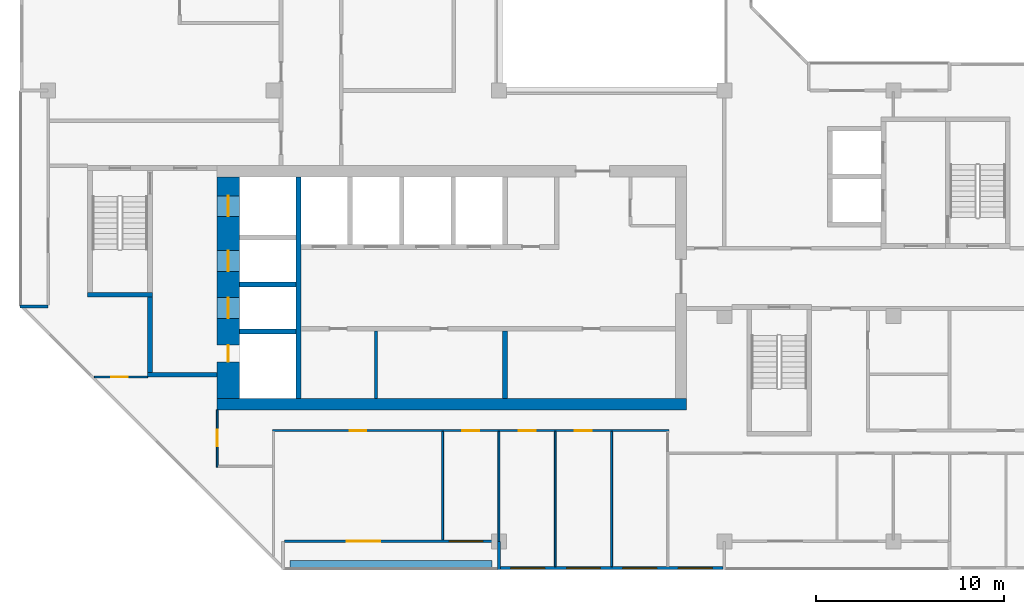
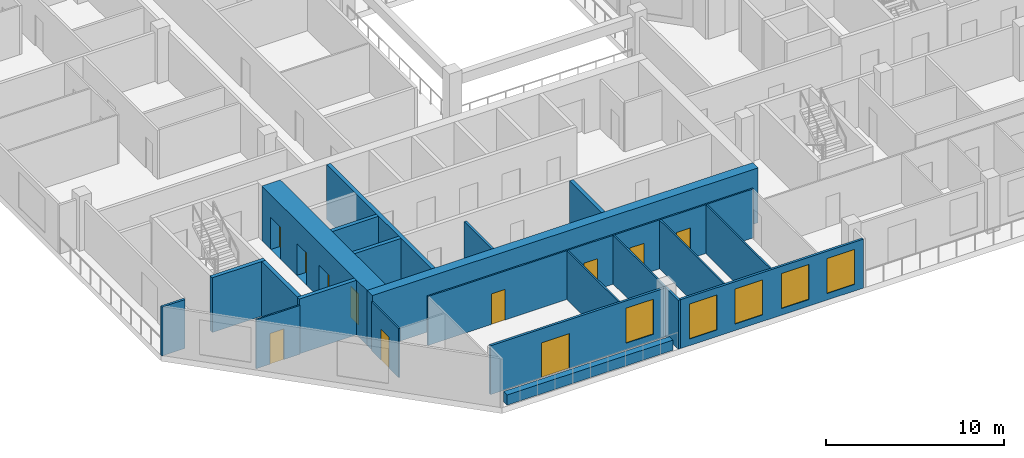
# One storey, part 4 of 13: 22 walls, 11 doors, 5 windows, 16 openings.
"""IFC4 building model written with IfcOpenShell, lengths in metres."""

import ifcopenshell
import ifcopenshell.guid

model = None  # the IFC model being written
_history = None  # IfcOwnerHistory: only IFC2X3 demands one
_inside = {}  # id of a spatial element -> (the spatial element, [elements in it])
_under = {}  # id of a project, library or spatial element -> (it, [spatial elements below it])
_declared = {}  # id of a project -> (the project, [libraries it declares])
_typed = {}  # id of a type object -> (the type object, [elements of that type])
_made_of = {}  # id of a material, layer set ... -> (it, [elements and type objects made of it])


def new_model(schema):
    """Start an empty IFC model of exactly this schema.

    Asked for "IFC4X3", IfcOpenShell would pick the latest addendum, in which some entities
    have other attributes; the version numbers below select the first issue.
    IFC2X3 requires an IfcOwnerHistory on every rooted entity: one is made here for all.
    """
    global model, _history
    if schema == "IFC4X3":
        model = ifcopenshell.file(schema_version=(4, 3, 0, 0))
    else:
        model = ifcopenshell.file(schema=schema)
    _inside.clear()
    _under.clear()
    _declared.clear()
    _typed.clear()
    _made_of.clear()
    _history = None
    if model.schema == "IFC2X3":
        org = make("IfcOrganization", Name="unknown")
        user = make(
            "IfcPersonAndOrganization",
            ThePerson=make("IfcPerson", FamilyName="unknown"),
            TheOrganization=org,
        )
        app = make(
            "IfcApplication",
            ApplicationDeveloper=org,
            Version="unknown",
            ApplicationFullName="unknown",
            ApplicationIdentifier="unknown",
        )
        _history = make(
            "IfcOwnerHistory",
            OwningUser=user,
            OwningApplication=app,
            ChangeAction="ADDED",
            CreationDate=0,
        )
    return model


def make(cls, **values):
    """One entity of the class cls with the attributes given. An attribute that is None is left unset."""
    return model.create_entity(
        cls, **{name: value for name, value in values.items() if value is not None}
    )


def rooted(cls, **values):
    """An entity with a GlobalId (a new one), such as an element, a storey or a relation."""
    return make(cls, GlobalId=ifcopenshell.guid.new(), OwnerHistory=_history, **values)


def si_unit(unit_type, name, prefix=None):
    """IfcSIUnit, for example si_unit("LENGTHUNIT", "METRE", prefix="MILLI")."""
    return make("IfcSIUnit", UnitType=unit_type, Prefix=prefix, Name=name)


def assignment(units):
    """IfcUnitAssignment: the units of a project."""
    return None if units is None else make("IfcUnitAssignment", Units=units)


def point(xyz):
    """IfcCartesianPoint."""
    return None if xyz is None else make("IfcCartesianPoint", Coordinates=xyz)


def direction(xyz):
    """IfcDirection."""
    return None if xyz is None else make("IfcDirection", DirectionRatios=xyz)


def frame(location, z_axis=None, x_axis=None):
    """IfcAxis2Placement3D, a coordinate frame: its origin and axes. An axis left out is left unset."""
    return make(
        "IfcAxis2Placement3D",
        Location=point(location),
        Axis=direction(z_axis),
        RefDirection=direction(x_axis),
    )


def frame_2d(location, x_axis=None):
    """IfcAxis2Placement2D, a coordinate frame in the plane: its origin and x axis."""
    return make(
        "IfcAxis2Placement2D", Location=point(location), RefDirection=direction(x_axis)
    )


def origin():
    """The frame at (0, 0, 0) with its axes left unset."""
    return frame((0.0, 0.0, 0.0))


def place(relative_to, where):
    """IfcLocalPlacement: puts the frame where relative to a parent placement (None: the world)."""
    return make(
        "IfcLocalPlacement", PlacementRelTo=relative_to, RelativePlacement=where
    )


def context(
    kind, dimensions, precision=None, world=None, true_north=None, identifier=None
):
    """IfcGeometricRepresentationContext, for example the 3D "Model" context."""
    return make(
        "IfcGeometricRepresentationContext",
        ContextIdentifier=identifier,
        ContextType=kind,
        CoordinateSpaceDimension=dimensions,
        Precision=precision,
        WorldCoordinateSystem=world,
        TrueNorth=true_north,
    )


def subcontext(parent, identifier, kind, view, scale=None):
    """IfcGeometricRepresentationSubContext, for example "Body" below "Model"."""
    return make(
        "IfcGeometricRepresentationSubContext",
        ContextIdentifier=identifier,
        ContextType=kind,
        ParentContext=parent,
        TargetScale=scale,
        TargetView=view,
    )


def project(units=None, contexts=None):
    """IfcProject with its units and contexts."""
    return rooted(
        "IfcProject",
        Name="project",
        RepresentationContexts=contexts,
        UnitsInContext=assignment(units),
    )


def spatial(cls, under=None, at=None, **own):
    """A site, building, storey or space (cls), placed at a placement, below another one or the project."""
    s = rooted(cls, ObjectPlacement=at, **own)
    if under is not None:
        _under.setdefault(under.id(), (under, []))[1].append(s)
    return s


def profile(cls, at=None, kind="AREA", **sizes):
    """A parametric profile (cls). Its sizes go by their IFC names, for example OverallWidth=200.0."""
    return make(cls, ProfileType=kind, Position=at, **sizes)


def rectangle(**sizes):
    """IfcRectangleProfileDef."""
    return profile("IfcRectangleProfileDef", **sizes)


def extrude(swept, where, along, depth):
    """IfcExtrudedAreaSolid: the profile swept, set in the frame where, extruded along a direction by depth."""
    return make(
        "IfcExtrudedAreaSolid",
        SweptArea=swept,
        Position=where,
        ExtrudedDirection=direction(along),
        Depth=depth,
    )


def shape(context_of_items, identifier, shape_type, items):
    """IfcShapeRepresentation: the items that make up one representation, for example the "Body"."""
    return make(
        "IfcShapeRepresentation",
        ContextOfItems=context_of_items,
        RepresentationIdentifier=identifier,
        RepresentationType=shape_type,
        Items=items,
    )


def material(Name=None, Category=None):
    """IfcMaterial."""
    return make("IfcMaterial", Name=Name, Category=Category)


def layer(
    of_material, thickness, ventilated=None, Name=None, Category=None, Priority=None
):
    """IfcMaterialLayer: one layer of a wall or slab, of a material (None: an air gap)."""
    return make(
        "IfcMaterialLayer",
        Material=of_material,
        LayerThickness=thickness,
        IsVentilated=ventilated,
        Name=Name,
        Category=Category,
        Priority=Priority,
    )


def layer_set(layers, Name=None):
    """IfcMaterialLayerSet."""
    return make("IfcMaterialLayerSet", MaterialLayers=layers, LayerSetName=Name)


def made_of(thing, what):
    """Note that an element or type object is made of a material, layer set ...; save() writes the relation."""
    if what is not None:
        _made_of.setdefault(what.id(), (what, []))[1].append(thing)
    return thing


def type_object(cls, material=None, **own):
    """A type object (cls), such as IfcWallType, which elements share."""
    return made_of(rooted(cls, **own), material)


def element(
    cls,
    number,
    at=None,
    inside=None,
    cuts=None,
    type_object=None,
    material=None,
    context=None,
    identifier="Body",
    shape_type=None,
    held_by="IfcProductDefinitionShape",
    body=None,
    shapes=None,
    **own,
):
    """One element of the class cls, such as IfcWall. Its Tag is "e" and its number.

    at: its placement. inside: the storey or other place that contains it. cuts: it is an
    opening in that element (IfcRelVoidsElement). A single representation is given by context,
    identifier, shape_type and body (its items); several are given by shapes. held_by: the class
    of the entity that holds the representations. save() writes the other relations.
    """
    e = rooted(cls, Tag="e%d" % number, ObjectPlacement=at, **own)
    if body is not None:
        shapes = [shape(context, identifier, shape_type, body)]
    if shapes is not None:
        e.Representation = make(held_by, Representations=shapes)
    if inside is not None:
        _inside.setdefault(inside.id(), (inside, []))[1].append(e)
    if cuts is not None:
        rooted(
            "IfcRelVoidsElement", RelatingBuildingElement=cuts, RelatedOpeningElement=e
        )
    if type_object is not None:
        _typed.setdefault(type_object.id(), (type_object, []))[1].append(e)
    return made_of(e, material)


def fill(opening, filler):
    """IfcRelFillsElement: the door or window that sits in an opening."""
    return rooted(
        "IfcRelFillsElement",
        RelatingOpeningElement=opening,
        RelatedBuildingElement=filler,
    )


def aggregate(whole, parts):
    """IfcRelAggregates: a whole, such as a stair, and the parts it consists of."""
    return rooted("IfcRelAggregates", RelatingObject=whole, RelatedObjects=parts)


def save(model, path):
    """Write the relations noted so far, then the file.

    IfcRelAggregates (storeys below a building ...), IfcRelContainedInSpatialStructure (elements
    in a storey), IfcRelDefinesByType, IfcRelAssociatesMaterial and IfcRelDeclares: one each for
    every whole, place, type object, material and project.
    """
    for whole, parts in _under.values():
        aggregate(whole, parts)
    for where, things in _inside.values():
        rooted(
            "IfcRelContainedInSpatialStructure",
            RelatedElements=things,
            RelatingStructure=where,
        )
    for kind, things in _typed.values():
        rooted("IfcRelDefinesByType", RelatedObjects=things, RelatingType=kind)
    for what, things in _made_of.values():
        rooted("IfcRelAssociatesMaterial", RelatedObjects=things, RelatingMaterial=what)
    for by, libraries in _declared.values():
        rooted("IfcRelDeclares", RelatingContext=by, RelatedDefinitions=libraries)
    model.write(path)


model = new_model("IFC4")

# Units and contexts
model_context = context("Model", 3, precision=1e-05, world=origin(), true_north=direction((0.0, 1.0)))
body_context = subcontext(model_context, "Body", "Model", "MODEL_VIEW")
ifc_project = project(units=[si_unit("LENGTHUNIT", "METRE"), si_unit("AREAUNIT", "SQUARE_METRE"), si_unit("VOLUMEUNIT", "CUBIC_METRE"), si_unit("PLANEANGLEUNIT", "RADIAN"), si_unit("MASSUNIT", "GRAM", prefix="KILO")], contexts=[model_context])

# Site, building, storey
site_placement = place(None, origin())
site = spatial("IfcSite", under=ifc_project, at=site_placement, CompositionType="ELEMENT")
building_placement = place(site_placement, origin())
building = spatial("IfcBuilding", under=site, at=building_placement, Name="Chenar Terraces", CompositionType="ELEMENT")
storey_placement = place(building_placement, frame((0.0, 0.0, 284.64990234375)))
storey = spatial("IfcBuildingStorey", under=building, at=storey_placement, Name="L66", CompositionType="ELEMENT", Elevation=284.64990234375)

# Wall
ifc_material_1 = material(Name="Gypsum board on steel studs", Category="steel")
ifc_layer_1 = layer(ifc_material_1, 0.14990234375)
ifc_layer_set_1 = layer_set([ifc_layer_1], Name="Gypsum board on steel studs")
wall_type_1 = type_object("IfcWallType", Name="Core partition 150 gypsum board", PredefinedType="PARTITIONING", material=ifc_layer_set_1)
wall_1_placement = place(storey_placement, frame((17.449951171875, 7.60009765625, 0.0), z_axis=(0.0, 0.0, 1.0), x_axis=(0.0, 1.0, 0.0)))
element("IfcWall", 1, at=wall_1_placement, inside=storey, type_object=wall_type_1, Name="Core partition CP1 freed bay wall", PredefinedType="PARTITIONING", context=body_context, shape_type="SweptSolid", body=[
    extrude(rectangle(XDim=3.599853515625, YDim=0.14990234375, at=frame_2d((1.7998046875, 0.0))), origin(), (0.0, 0.0, 1.0), 3.35009765625),
])

# Wall, openings, doors
ifc_material_2 = material(Name="Concrete C50/60", Category="concrete")
ifc_layer_2 = layer(ifc_material_2, 1.199951171875)
ifc_layer_set_2 = layer_set([ifc_layer_2], Name="Concrete C50/60")
wall_type_2 = type_object("IfcWallType", Name="Core wall 1200 Concrete C50/60", PredefinedType="SHEAR", material=ifc_layer_set_2)
wall_2_placement = place(storey_placement, frame((9.60009765625, 7.60009765625, 0.0), z_axis=(0.0, 0.0, 1.0), x_axis=(0.0, 1.0, 0.0)))
wall_2 = element("IfcWall", 2, at=wall_2_placement, inside=storey, type_object=wall_type_2, Name="Core wall W L66", PredefinedType="SHEAR", context=body_context, shape_type="SweptSolid", body=[
    extrude(rectangle(XDim=11.7998046875, YDim=1.199951171875, at=frame_2d((5.89990234375, 0.0))), origin(), (0.0, 0.0, 1.0), 3.75),
])
opening_1_placement = place(wall_2_placement, frame((4.27490234375, 0.0, 0.0)))
opening_1 = element("IfcOpeningElement", 3, at=opening_1_placement, cuts=wall_2, Name="Opening DL66-LD5", PredefinedType="OPENING", context=body_context, shape_type="SweptSolid", body=[
    extrude(rectangle(XDim=1.10009765625, YDim=2.199951171875, at=frame_2d((0.550048828125, 1.10009765625))), frame((0.0, 0.60986328125, 0.0), z_axis=(0.0, -1.0, 0.0), x_axis=(1.0, 0.0, 0.0)), (0.0, 0.0, 1.0), 1.219970703125),
])
opening_2_placement = place(wall_2_placement, frame((6.77490234375, 0.0, 0.0)))
opening_2 = element("IfcOpeningElement", 4, at=opening_2_placement, cuts=wall_2, Name="Opening DL66-LD6", PredefinedType="OPENING", context=body_context, shape_type="SweptSolid", body=[
    extrude(rectangle(XDim=1.10009765625, YDim=2.199951171875, at=frame_2d((0.550048828125, 1.10009765625))), frame((0.0, 0.60986328125, 0.0), z_axis=(0.0, -1.0, 0.0), x_axis=(1.0, 0.0, 0.0)), (0.0, 0.0, 1.0), 1.219970703125),
])
opening_3_placement = place(wall_2_placement, frame((9.699951171875, 0.0, 0.0)))
opening_3 = element("IfcOpeningElement", 5, at=opening_3_placement, cuts=wall_2, Name="Opening DL66-LD7", PredefinedType="OPENING", context=body_context, shape_type="SweptSolid", body=[
    extrude(rectangle(XDim=1.10009765625, YDim=2.199951171875, at=frame_2d((0.550048828125, 1.10009765625))), frame((0.0, 0.60986328125, 0.0), z_axis=(0.0, -1.0, 0.0), x_axis=(1.0, 0.0, 0.0)), (0.0, 0.0, 1.0), 1.219970703125),
])
opening_4_placement = place(wall_2_placement, frame((1.949951171875, 0.0, 0.0)))
opening_4 = element("IfcOpeningElement", 6, at=opening_4_placement, cuts=wall_2, Name="Opening DL66-C4", PredefinedType="OPENING", context=body_context, shape_type="SweptSolid", body=[
    extrude(rectangle(XDim=0.89990234375, YDim=2.10009765625, at=frame_2d((0.449951171875, 1.050048828125))), frame((0.0, 0.60986328125, 0.0), z_axis=(0.0, -1.0, 0.0), x_axis=(1.0, 0.0, 0.0)), (0.0, 0.0, 1.0), 1.219970703125),
])
ifc_material_3 = material(Name="Stainless steel", Category="steel")
door_type_1 = type_object("IfcDoorType", Name="Lift landing door 1100 x 2200 sliding", OperationType="DOUBLE_DOOR_SLIDING", PredefinedType="DOOR", material=ifc_material_3)
door_1_placement = place(opening_1_placement, origin())
door_1 = element("IfcDoor", 7, at=door_1_placement, inside=storey, type_object=door_type_1, Name="Landing door S1", OperationType="DOUBLE_DOOR_SLIDING", OverallHeight=2.199951171875, OverallWidth=1.10009765625, PredefinedType="DOOR", context=body_context, shape_type="SweptSolid", body=[
    extrude(rectangle(XDim=1.10009765625, YDim=2.199951171875, at=frame_2d((0.550048828125, 1.10009765625))), frame((0.0, 0.02490234375, 0.0), z_axis=(0.0, -1.0, 0.0), x_axis=(1.0, 0.0, 0.0)), (0.0, 0.0, 1.0), 0.050048828125),
])
fill(opening_1, door_1)
door_2_placement = place(opening_2_placement, origin())
door_2 = element("IfcDoor", 8, at=door_2_placement, inside=storey, type_object=door_type_1, Name="Landing door F1", OperationType="DOUBLE_DOOR_SLIDING", OverallHeight=2.199951171875, OverallWidth=1.10009765625, PredefinedType="DOOR", context=body_context, shape_type="SweptSolid", body=[
    extrude(rectangle(XDim=1.10009765625, YDim=2.199951171875, at=frame_2d((0.550048828125, 1.10009765625))), frame((0.0, 0.02490234375, 0.0), z_axis=(0.0, -1.0, 0.0), x_axis=(1.0, 0.0, 0.0)), (0.0, 0.0, 1.0), 0.050048828125),
])
fill(opening_2, door_2)
door_3_placement = place(opening_3_placement, origin())
door_3 = element("IfcDoor", 9, at=door_3_placement, inside=storey, type_object=door_type_1, Name="Landing door F2", OperationType="DOUBLE_DOOR_SLIDING", OverallHeight=2.199951171875, OverallWidth=1.10009765625, PredefinedType="DOOR", context=body_context, shape_type="SweptSolid", body=[
    extrude(rectangle(XDim=1.10009765625, YDim=2.199951171875, at=frame_2d((0.550048828125, 1.10009765625))), frame((0.0, 0.02490234375, 0.0), z_axis=(0.0, -1.0, 0.0), x_axis=(1.0, 0.0, 0.0)), (0.0, 0.0, 1.0), 0.050048828125),
])
fill(opening_3, door_3)
ifc_material_4 = material(Name="Steel-framed fire-resisting door leaf", Category="steel")
door_type_2 = type_object("IfcDoorType", Name="Riser fire door FD60 900 x 2100", OperationType="SINGLE_SWING_LEFT", PredefinedType="DOOR", material=ifc_material_4)
door_4_placement = place(opening_4_placement, frame((0.89990234375, 0.0, 0.0), z_axis=(0.0, 0.0, 1.0), x_axis=(-1.0, 0.0, 0.0)))
door_4 = element("IfcDoor", 10, at=door_4_placement, inside=storey, type_object=door_type_2, Name="Riser door DL66-C4", OperationType="SINGLE_SWING_LEFT", OverallHeight=2.10009765625, OverallWidth=0.89990234375, PredefinedType="DOOR", context=body_context, shape_type="SweptSolid", body=[
    extrude(rectangle(XDim=0.89990234375, YDim=2.10009765625, at=frame_2d((0.449951171875, 1.050048828125))), frame((0.0, 0.02490234375, 0.0), z_axis=(0.0, -1.0, 0.0), x_axis=(1.0, 0.0, 0.0)), (0.0, 0.0, 1.0), 0.050048828125),
])
fill(opening_4, door_4)

# Walls
ifc_material_5 = material(Name="Concrete C50/60", Category="concrete")
ifc_layer_3 = layer(ifc_material_5, 0.25)
ifc_layer_set_3 = layer_set([ifc_layer_3], Name="Concrete C50/60")
wall_type_3 = type_object("IfcWallType", Name="Core wall 250 Concrete C50/60", PredefinedType="SHEAR", material=ifc_layer_set_3)
wall_3_placement = place(storey_placement, frame((13.324951171875, 7.60009765625, 0.0), z_axis=(0.0, 0.0, 1.0), x_axis=(0.0, 1.0, 0.0)))
element("IfcWall", 11, at=wall_3_placement, inside=storey, type_object=wall_type_3, Name="Core wall WI L66", PredefinedType="SHEAR", context=body_context, shape_type="SweptSolid", body=[
    extrude(rectangle(XDim=11.7998046875, YDim=0.25, at=frame_2d((5.89990234375, 0.0))), origin(), (0.0, 0.0, 1.0), 3.75),
])
for number, where, z_axis, x_axis, name in (
    (12, (10.199951171875, 11.175048828125, 0.0), (0.0, 0.0, 1.0), (1.0, 0.0, 0.0), "Core wall HW0 L66"),
    (13, (10.199951171875, 13.675048828125, 0.0), (0.0, 0.0, 1.0), (1.0, 0.0, 0.0), "Core wall HW1 L66"),
):
    element("IfcWall", number, at=place(storey_placement, frame(where, z_axis=z_axis, x_axis=x_axis)), inside=storey, type_object=wall_type_3, Name=name, PredefinedType="SHEAR", context=body_context, shape_type="SweptSolid", body=[
        extrude(rectangle(XDim=3.0, YDim=0.25, at=frame_2d((1.5, 0.0))), origin(), (0.0, 0.0, 1.0), 3.75),
    ])
wall_4_placement = place(storey_placement, frame((24.324951171875, 7.60009765625, 0.0), z_axis=(0.0, 0.0, 1.0), x_axis=(0.0, 1.0, 0.0)))
element("IfcWall", 14, at=wall_4_placement, inside=storey, type_object=wall_type_3, Name="Core wall SS3 L66", PredefinedType="SHEAR", context=body_context, shape_type="SweptSolid", body=[
    extrude(rectangle(XDim=3.599853515625, YDim=0.25, at=frame_2d((1.7998046875, 0.0))), origin(), (0.0, 0.0, 1.0), 3.75),
])
wall_5_placement = place(storey_placement, frame((2.10009765625, 13.125, 0.0), z_axis=(0.0, 0.0, 1.0), x_axis=(1.0, 0.0, 0.0)))
element("IfcWall", 15, at=wall_5_placement, inside=storey, type_object=wall_type_3, Name="Core wall ST1_S L66", PredefinedType="SHEAR", context=body_context, shape_type="SweptSolid", body=[
    extrude(rectangle(XDim=3.449951171875, YDim=0.25, at=frame_2d((1.72509765625, 0.0))), origin(), (0.0, 0.0, 1.0), 3.75),
])
wall_6_placement = place(storey_placement, frame((5.300048828125, 8.875, 0.0), z_axis=(0.0, 0.0, 1.0), x_axis=(1.0, 0.0, 0.0)))
element("IfcWall", 16, at=wall_6_placement, inside=storey, type_object=wall_type_3, Name="Core wall FFL_S L66", PredefinedType="SHEAR", context=body_context, shape_type="SweptSolid", body=[
    extrude(rectangle(XDim=3.699951171875, YDim=0.25, at=frame_2d((1.85009765625, 0.0))), origin(), (0.0, 0.0, 1.0), 3.75),
])
wall_7_placement = place(storey_placement, frame((5.425048828125, 9.0, 0.0), z_axis=(0.0, 0.0, 1.0), x_axis=(0.0, 1.0, 0.0)))
element("IfcWall", 17, at=wall_7_placement, inside=storey, type_object=wall_type_3, Name="Core wall FFL_W L66", PredefinedType="SHEAR", context=body_context, shape_type="SweptSolid", body=[
    extrude(rectangle(XDim=4.0, YDim=0.25, at=frame_2d((2.0, 0.0))), origin(), (0.0, 0.0, 1.0), 3.75),
])
ifc_material_6 = material(Name="Concrete C50/60", Category="concrete")
ifc_layer_4 = layer(ifc_material_6, 0.60009765625)
ifc_layer_set_4 = layer_set([ifc_layer_4], Name="Concrete C50/60")
wall_type_4 = type_object("IfcWallType", Name="Core wall 600 Concrete C50/60", PredefinedType="SHEAR", material=ifc_layer_set_4)
wall_8_placement = place(storey_placement, frame((9.0, 7.300048828125, 0.0), z_axis=(0.0, 0.0, 1.0), x_axis=(1.0, 0.0, 0.0)))
element("IfcWall", 18, at=wall_8_placement, inside=storey, type_object=wall_type_4, Name="Core wall S L66", PredefinedType="SHEAR", context=body_context, shape_type="SweptSolid", body=[
    extrude(rectangle(XDim=25.0, YDim=0.60009765625, at=frame_2d((12.5, 0.0))), origin(), (0.0, 0.0, 1.0), 3.75),
])

# Wall, openings, windows
ifc_material_7 = material(Name="Aluminium framed glazing", Category="aluminium")
ifc_layer_5 = layer(ifc_material_7, 0.14990234375)
ifc_layer_set_5 = layer_set([ifc_layer_5], Name="Aluminium framed glazing")
wall_type_5 = type_object("IfcWallType", Name="Glazed flush facade wall 150", PredefinedType="SOLIDWALL", material=ifc_layer_set_5)
wall_9_placement = place(storey_placement, frame((24.074951171875, -1.425048828125, 0.0), z_axis=(0.0, 0.0, 1.0), x_axis=(1.0, 0.0, 0.0)))
wall_9 = element("IfcWall", 19, at=wall_9_placement, inside=storey, type_object=wall_type_5, Name="Glazed flush facade wall", PredefinedType="SOLIDWALL", context=body_context, shape_type="SweptSolid", body=[
    extrude(rectangle(XDim=11.85009765625, YDim=0.14990234375, at=frame_2d((5.925048828125, 0.0))), origin(), (0.0, 0.0, 1.0), 3.35009765625),
])
opening_5_placement = place(wall_9_placement, frame((0.5625, 0.0, 0.449951171875)))
opening_5 = element("IfcOpeningElement", 20, at=opening_5_placement, cuts=wall_9, Name="Opening W180x240", PredefinedType="OPENING", context=body_context, shape_type="SweptSolid", body=[
    extrude(rectangle(XDim=1.800048828125, YDim=2.39990234375, at=frame_2d((0.89990234375, 1.199951171875))), frame((0.0, 0.0849609375, 0.0), z_axis=(0.0, -1.0, 0.0), x_axis=(1.0, 0.0, 0.0)), (0.0, 0.0, 1.0), 0.169921875),
])
opening_6_placement = place(wall_9_placement, frame((3.52490234375, 0.0, 0.449951171875)))
opening_6 = element("IfcOpeningElement", 21, at=opening_6_placement, cuts=wall_9, Name="Opening W180x240", PredefinedType="OPENING", context=body_context, shape_type="SweptSolid", body=[
    extrude(rectangle(XDim=1.800048828125, YDim=2.39990234375, at=frame_2d((0.89990234375, 1.199951171875))), frame((0.0, 0.0849609375, 0.0), z_axis=(0.0, -1.0, 0.0), x_axis=(1.0, 0.0, 0.0)), (0.0, 0.0, 1.0), 0.169921875),
])
opening_7_placement = place(wall_9_placement, frame((6.52490234375, 0.0, 0.449951171875)))
opening_7 = element("IfcOpeningElement", 22, at=opening_7_placement, cuts=wall_9, Name="Opening W180x240", PredefinedType="OPENING", context=body_context, shape_type="SweptSolid", body=[
    extrude(rectangle(XDim=1.800048828125, YDim=2.39990234375, at=frame_2d((0.89990234375, 1.199951171875))), frame((0.0, 0.0849609375, 0.0), z_axis=(0.0, -1.0, 0.0), x_axis=(1.0, 0.0, 0.0)), (0.0, 0.0, 1.0), 0.169921875),
])
opening_8_placement = place(wall_9_placement, frame((9.487548828125, 0.0, 0.449951171875)))
opening_8 = element("IfcOpeningElement", 23, at=opening_8_placement, cuts=wall_9, Name="Opening W180x240", PredefinedType="OPENING", context=body_context, shape_type="SweptSolid", body=[
    extrude(rectangle(XDim=1.800048828125, YDim=2.39990234375, at=frame_2d((0.89990234375, 1.199951171875))), frame((0.0, 0.0849609375, 0.0), z_axis=(0.0, -1.0, 0.0), x_axis=(1.0, 0.0, 0.0)), (0.0, 0.0, 1.0), 0.169921875),
])
ifc_material_8 = material(Name="Low emissivity double glazing, aluminium frame", Category="aluminium")
window_type = type_object("IfcWindowType", Name="Fixed light 1800 x 2400", PartitioningType="SINGLE_PANEL", PredefinedType="WINDOW", material=ifc_material_8)
window_1_placement = place(opening_5_placement, origin())
window_1 = element("IfcWindow", 24, at=window_1_placement, inside=storey, type_object=window_type, Name="Window", OverallHeight=2.39990234375, OverallWidth=1.800048828125, PartitioningType="SINGLE_PANEL", PredefinedType="WINDOW", context=body_context, shape_type="SweptSolid", body=[
    extrude(rectangle(XDim=1.800048828125, YDim=2.39990234375, at=frame_2d((0.89990234375, 1.199951171875))), frame((0.0, 0.030029296875, 0.0), z_axis=(0.0, -1.0, 0.0), x_axis=(1.0, 0.0, 0.0)), (0.0, 0.0, 1.0), 0.06005859375),
])
fill(opening_5, window_1)
window_2_placement = place(opening_6_placement, origin())
window_2 = element("IfcWindow", 25, at=window_2_placement, inside=storey, type_object=window_type, Name="Window", OverallHeight=2.39990234375, OverallWidth=1.800048828125, PartitioningType="SINGLE_PANEL", PredefinedType="WINDOW", context=body_context, shape_type="SweptSolid", body=[
    extrude(rectangle(XDim=1.800048828125, YDim=2.39990234375, at=frame_2d((0.89990234375, 1.199951171875))), frame((0.0, 0.030029296875, 0.0), z_axis=(0.0, -1.0, 0.0), x_axis=(1.0, 0.0, 0.0)), (0.0, 0.0, 1.0), 0.06005859375),
])
fill(opening_6, window_2)
window_3_placement = place(opening_7_placement, origin())
window_3 = element("IfcWindow", 26, at=window_3_placement, inside=storey, type_object=window_type, Name="Window", OverallHeight=2.39990234375, OverallWidth=1.800048828125, PartitioningType="SINGLE_PANEL", PredefinedType="WINDOW", context=body_context, shape_type="SweptSolid", body=[
    extrude(rectangle(XDim=1.800048828125, YDim=2.39990234375, at=frame_2d((0.89990234375, 1.199951171875))), frame((0.0, 0.030029296875, 0.0), z_axis=(0.0, -1.0, 0.0), x_axis=(1.0, 0.0, 0.0)), (0.0, 0.0, 1.0), 0.06005859375),
])
fill(opening_7, window_3)
window_4_placement = place(opening_8_placement, origin())
window_4 = element("IfcWindow", 27, at=window_4_placement, inside=storey, type_object=window_type, Name="Window", OverallHeight=2.39990234375, OverallWidth=1.800048828125, PartitioningType="SINGLE_PANEL", PredefinedType="WINDOW", context=body_context, shape_type="SweptSolid", body=[
    extrude(rectangle(XDim=1.800048828125, YDim=2.39990234375, at=frame_2d((0.89990234375, 1.199951171875))), frame((0.0, 0.030029296875, 0.0), z_axis=(0.0, -1.0, 0.0), x_axis=(1.0, 0.0, 0.0)), (0.0, 0.0, 1.0), 0.06005859375),
])
fill(opening_8, window_4)

# Wall, openings, window, door
ifc_material_9 = material(Name="Aluminium framed glazing", Category="aluminium")
ifc_layer_6 = layer(ifc_material_9, 0.14990234375)
ifc_layer_set_6 = layer_set([ifc_layer_6], Name="Aluminium framed glazing")
wall_type_6 = type_object("IfcWallType", Name="Glazed loggia back wall 150", PredefinedType="SOLIDWALL", material=ifc_layer_set_6)
wall_10_placement = place(storey_placement, frame((12.574951171875, 0.0, 0.0), z_axis=(0.0, 0.0, 1.0), x_axis=(1.0, 0.0, 0.0)))
wall_10 = element("IfcWall", 28, at=wall_10_placement, inside=storey, type_object=wall_type_6, Name="Glazed loggia back wall", PredefinedType="SOLIDWALL", context=body_context, shape_type="SweptSolid", body=[
    extrude(rectangle(XDim=11.35009765625, YDim=0.14990234375, at=frame_2d((5.675048828125, 0.0))), origin(), (0.0, 0.0, 1.0), 3.35009765625),
])
opening_9_placement = place(wall_10_placement, frame((3.3125, 0.0, 0.0)))
opening_9 = element("IfcOpeningElement", 29, at=opening_9_placement, cuts=wall_10, Name="Opening DL66-G5", PredefinedType="OPENING", context=body_context, shape_type="SweptSolid", body=[
    extrude(rectangle(XDim=1.800048828125, YDim=2.39990234375, at=frame_2d((0.89990234375, 1.199951171875))), frame((0.0, 0.0849609375, 0.0), z_axis=(0.0, -1.0, 0.0), x_axis=(1.0, 0.0, 0.0)), (0.0, 0.0, 1.0), 0.169921875),
])
opening_10_placement = place(wall_10_placement, frame((8.77490234375, 0.0, 0.449951171875)))
opening_10 = element("IfcOpeningElement", 30, at=opening_10_placement, cuts=wall_10, Name="Opening W180x240", PredefinedType="OPENING", context=body_context, shape_type="SweptSolid", body=[
    extrude(rectangle(XDim=1.800048828125, YDim=2.39990234375, at=frame_2d((0.89990234375, 1.199951171875))), frame((0.0, 0.0849609375, 0.0), z_axis=(0.0, -1.0, 0.0), x_axis=(1.0, 0.0, 0.0)), (0.0, 0.0, 1.0), 0.169921875),
])
window_5_placement = place(opening_10_placement, origin())
window_5 = element("IfcWindow", 31, at=window_5_placement, inside=storey, type_object=window_type, Name="Window", OverallHeight=2.39990234375, OverallWidth=1.800048828125, PartitioningType="SINGLE_PANEL", PredefinedType="WINDOW", context=body_context, shape_type="SweptSolid", body=[
    extrude(rectangle(XDim=1.800048828125, YDim=2.39990234375, at=frame_2d((0.89990234375, 1.199951171875))), frame((0.0, 0.030029296875, 0.0), z_axis=(0.0, -1.0, 0.0), x_axis=(1.0, 0.0, 0.0)), (0.0, 0.0, 1.0), 0.06005859375),
])
fill(opening_10, window_5)
ifc_material_10 = material(Name="Low emissivity double glazing, aluminium frame", Category="aluminium")
door_type_3 = type_object("IfcDoorType", Name="Loggia glazed double door 1800 x 2400", OperationType="DOUBLE_DOOR_SINGLE_SWING", PredefinedType="DOOR", material=ifc_material_10)
door_5_placement = place(opening_9_placement, frame((1.800048828125, 0.0, 0.0), z_axis=(0.0, 0.0, 1.0), x_axis=(-1.0, 0.0, 0.0)))
door_5 = element("IfcDoor", 32, at=door_5_placement, inside=storey, type_object=door_type_3, Name="Loggia glazed door", OperationType="DOUBLE_DOOR_SINGLE_SWING", OverallHeight=2.39990234375, OverallWidth=1.800048828125, PredefinedType="DOOR", context=body_context, shape_type="SweptSolid", body=[
    extrude(rectangle(XDim=1.800048828125, YDim=2.39990234375, at=frame_2d((0.89990234375, 1.199951171875))), frame((0.0, 0.02490234375, 0.0), z_axis=(0.0, -1.0, 0.0), x_axis=(1.0, 0.0, 0.0)), (0.0, 0.0, 1.0), 0.050048828125),
])
fill(opening_9, door_5)

# Wall, opening, door
ifc_material_11 = material(Name="Gypsum board on steel studs", Category="steel")
ifc_layer_7 = layer(ifc_material_11, 0.10009765625)
ifc_layer_set_7 = layer_set([ifc_layer_7], Name="Gypsum board on steel studs")
wall_type_7 = type_object("IfcWallType", Name="Gypsum partition 100", PredefinedType="PARTITIONING", material=ifc_layer_set_7)
wall_11_placement = place(storey_placement, frame((2.4609375, 8.75, 0.0), z_axis=(0.0, 0.0, 1.0), x_axis=(1.0, 0.0, 0.0)))
wall_11 = element("IfcWall", 33, at=wall_11_placement, inside=storey, type_object=wall_type_7, Name="Partition L66-010", PredefinedType="PARTITIONING", context=body_context, shape_type="SweptSolid", body=[
    extrude(rectangle(XDim=2.839111328125, YDim=0.10009765625, at=frame_2d((1.41943359375, 0.0))), origin(), (0.0, 0.0, 1.0), 3.35009765625),
])
opening_11_placement = place(wall_11_placement, frame((0.888916015625, 0.0, 0.0)))
opening_11 = element("IfcOpeningElement", 34, at=opening_11_placement, cuts=wall_11, Name="Opening DL66-43", PredefinedType="OPENING", context=body_context, shape_type="SweptSolid", body=[
    extrude(rectangle(XDim=0.89990234375, YDim=2.10009765625, at=frame_2d((0.449951171875, 1.050048828125))), frame((0.0, 0.06005859375, 0.0), z_axis=(0.0, -1.0, 0.0), x_axis=(1.0, 0.0, 0.0)), (0.0, 0.0, 1.0), 0.1201171875),
])
ifc_material_12 = material(Name="Veneered timber door leaf", Category="wood")
door_type_4 = type_object("IfcDoorType", Name="Door 900 x 2100", OperationType="SINGLE_SWING_LEFT", PredefinedType="DOOR", material=ifc_material_12)
door_6_placement = place(opening_11_placement, frame((0.89990234375, 0.0, 0.0), z_axis=(0.0, 0.0, 1.0), x_axis=(-1.0, 0.0, 0.0)))
door_6 = element("IfcDoor", 35, at=door_6_placement, inside=storey, type_object=door_type_4, Name="Door DL66-43", OperationType="SINGLE_SWING_RIGHT", OverallHeight=2.10009765625, OverallWidth=0.89990234375, PredefinedType="DOOR", context=body_context, shape_type="SweptSolid", body=[
    extrude(rectangle(XDim=0.89990234375, YDim=2.10009765625, at=frame_2d((0.449951171875, 1.050048828125))), frame((0.0, 0.02490234375, 0.0), z_axis=(0.0, -1.0, 0.0), x_axis=(1.0, 0.0, 0.0)), (0.0, 0.0, 1.0), 0.050048828125),
])
fill(opening_11, door_6)

wall_12_placement = place(storey_placement, frame((9.0, 3.949951171875, 0.0), z_axis=(0.0, 0.0, 1.0), x_axis=(0.0, 1.0, 0.0)))
wall_12 = element("IfcWall", 36, at=wall_12_placement, inside=storey, type_object=wall_type_7, Name="Partition L66-024", PredefinedType="PARTITIONING", context=body_context, shape_type="SweptSolid", body=[
    extrude(rectangle(XDim=3.050048828125, YDim=0.10009765625, at=frame_2d((1.52490234375, 0.0))), origin(), (0.0, 0.0, 1.0), 3.35009765625),
])
opening_12_placement = place(wall_12_placement, frame((1.10009765625, 0.0, 0.0)))
opening_12 = element("IfcOpeningElement", 37, at=opening_12_placement, cuts=wall_12, Name="Opening DL66-42", PredefinedType="OPENING", context=body_context, shape_type="SweptSolid", body=[
    extrude(rectangle(XDim=0.89990234375, YDim=2.10009765625, at=frame_2d((0.449951171875, 1.050048828125))), frame((0.0, 0.06005859375, 0.0), z_axis=(0.0, -1.0, 0.0), x_axis=(1.0, 0.0, 0.0)), (0.0, 0.0, 1.0), 0.1201171875),
])
door_7_placement = place(opening_12_placement, origin())
door_7 = element("IfcDoor", 38, at=door_7_placement, inside=storey, type_object=door_type_4, Name="Door DL66-42", OperationType="SINGLE_SWING_LEFT", OverallHeight=2.10009765625, OverallWidth=0.89990234375, PredefinedType="DOOR", context=body_context, shape_type="SweptSolid", body=[
    extrude(rectangle(XDim=0.89990234375, YDim=2.10009765625, at=frame_2d((0.449951171875, 1.050048828125))), frame((0.0, 0.02490234375, 0.0), z_axis=(0.0, -1.0, 0.0), x_axis=(1.0, 0.0, 0.0)), (0.0, 0.0, 1.0), 0.050048828125),
])
fill(opening_12, door_7)

# Wall, openings, doors
wall_13_placement = place(storey_placement, frame((11.949951171875, 5.89990234375, 0.0), z_axis=(0.0, 0.0, 1.0), x_axis=(1.0, 0.0, 0.0)))
wall_13 = element("IfcWall", 39, at=wall_13_placement, inside=storey, type_object=wall_type_7, Name="Partition L66-026", PredefinedType="PARTITIONING", context=body_context, shape_type="SweptSolid", body=[
    extrude(rectangle(XDim=21.10009765625, YDim=0.10009765625, at=frame_2d((10.550048828125, 0.0))), origin(), (0.0, 0.0, 1.0), 3.35009765625),
])
opening_13_placement = place(wall_13_placement, frame((10.10009765625, 0.0, 0.0)))
opening_13 = element("IfcOpeningElement", 40, at=opening_13_placement, cuts=wall_13, Name="Opening DL66-34", PredefinedType="OPENING", context=body_context, shape_type="SweptSolid", body=[
    extrude(rectangle(XDim=0.89990234375, YDim=2.10009765625, at=frame_2d((0.449951171875, 1.050048828125))), frame((0.0, 0.06005859375, 0.0), z_axis=(0.0, -1.0, 0.0), x_axis=(1.0, 0.0, 0.0)), (0.0, 0.0, 1.0), 0.1201171875),
])
opening_14_placement = place(wall_13_placement, frame((13.10009765625, 0.0, 0.0)))
opening_14 = element("IfcOpeningElement", 41, at=opening_14_placement, cuts=wall_13, Name="Opening DL66-35", PredefinedType="OPENING", context=body_context, shape_type="SweptSolid", body=[
    extrude(rectangle(XDim=0.89990234375, YDim=2.10009765625, at=frame_2d((0.449951171875, 1.050048828125))), frame((0.0, 0.06005859375, 0.0), z_axis=(0.0, -1.0, 0.0), x_axis=(1.0, 0.0, 0.0)), (0.0, 0.0, 1.0), 0.1201171875),
])
opening_15_placement = place(wall_13_placement, frame((16.10009765625, 0.0, 0.0)))
opening_15 = element("IfcOpeningElement", 42, at=opening_15_placement, cuts=wall_13, Name="Opening DL66-36", PredefinedType="OPENING", context=body_context, shape_type="SweptSolid", body=[
    extrude(rectangle(XDim=0.89990234375, YDim=2.10009765625, at=frame_2d((0.449951171875, 1.050048828125))), frame((0.0, 0.06005859375, 0.0), z_axis=(0.0, -1.0, 0.0), x_axis=(1.0, 0.0, 0.0)), (0.0, 0.0, 1.0), 0.1201171875),
])
opening_16_placement = place(wall_13_placement, frame((4.10009765625, 0.0, 0.0)))
opening_16 = element("IfcOpeningElement", 43, at=opening_16_placement, cuts=wall_13, Name="Opening DL66-47", PredefinedType="OPENING", context=body_context, shape_type="SweptSolid", body=[
    extrude(rectangle(XDim=0.89990234375, YDim=2.10009765625, at=frame_2d((0.449951171875, 1.050048828125))), frame((0.0, 0.06005859375, 0.0), z_axis=(0.0, -1.0, 0.0), x_axis=(1.0, 0.0, 0.0)), (0.0, 0.0, 1.0), 0.1201171875),
])
door_8_placement = place(opening_13_placement, frame((0.89990234375, 0.0, 0.0), z_axis=(0.0, 0.0, 1.0), x_axis=(-1.0, 0.0, 0.0)))
door_8 = element("IfcDoor", 44, at=door_8_placement, inside=storey, type_object=door_type_4, Name="Door DL66-34", OperationType="SINGLE_SWING_RIGHT", OverallHeight=2.10009765625, OverallWidth=0.89990234375, PredefinedType="DOOR", context=body_context, shape_type="SweptSolid", body=[
    extrude(rectangle(XDim=0.89990234375, YDim=2.10009765625, at=frame_2d((0.449951171875, 1.050048828125))), frame((0.0, 0.02490234375, 0.0), z_axis=(0.0, -1.0, 0.0), x_axis=(1.0, 0.0, 0.0)), (0.0, 0.0, 1.0), 0.050048828125),
])
fill(opening_13, door_8)
door_9_placement = place(opening_14_placement, frame((0.89990234375, 0.0, 0.0), z_axis=(0.0, 0.0, 1.0), x_axis=(-1.0, 0.0, 0.0)))
door_9 = element("IfcDoor", 45, at=door_9_placement, inside=storey, type_object=door_type_4, Name="Door DL66-35", OperationType="SINGLE_SWING_RIGHT", OverallHeight=2.10009765625, OverallWidth=0.89990234375, PredefinedType="DOOR", context=body_context, shape_type="SweptSolid", body=[
    extrude(rectangle(XDim=0.89990234375, YDim=2.10009765625, at=frame_2d((0.449951171875, 1.050048828125))), frame((0.0, 0.02490234375, 0.0), z_axis=(0.0, -1.0, 0.0), x_axis=(1.0, 0.0, 0.0)), (0.0, 0.0, 1.0), 0.050048828125),
])
fill(opening_14, door_9)
door_10_placement = place(opening_15_placement, frame((0.89990234375, 0.0, 0.0), z_axis=(0.0, 0.0, 1.0), x_axis=(-1.0, 0.0, 0.0)))
door_10 = element("IfcDoor", 46, at=door_10_placement, inside=storey, type_object=door_type_4, Name="Door DL66-36", OperationType="SINGLE_SWING_RIGHT", OverallHeight=2.10009765625, OverallWidth=0.89990234375, PredefinedType="DOOR", context=body_context, shape_type="SweptSolid", body=[
    extrude(rectangle(XDim=0.89990234375, YDim=2.10009765625, at=frame_2d((0.449951171875, 1.050048828125))), frame((0.0, 0.02490234375, 0.0), z_axis=(0.0, -1.0, 0.0), x_axis=(1.0, 0.0, 0.0)), (0.0, 0.0, 1.0), 0.050048828125),
])
fill(opening_15, door_10)
door_11_placement = place(opening_16_placement, frame((0.89990234375, 0.0, 0.0), z_axis=(0.0, 0.0, 1.0), x_axis=(-1.0, 0.0, 0.0)))
door_11 = element("IfcDoor", 47, at=door_11_placement, inside=storey, type_object=door_type_4, Name="Door DL66-47", OperationType="SINGLE_SWING_RIGHT", OverallHeight=2.10009765625, OverallWidth=0.89990234375, PredefinedType="DOOR", context=body_context, shape_type="SweptSolid", body=[
    extrude(rectangle(XDim=0.89990234375, YDim=2.10009765625, at=frame_2d((0.449951171875, 1.050048828125))), frame((0.0, 0.02490234375, 0.0), z_axis=(0.0, -1.0, 0.0), x_axis=(1.0, 0.0, 0.0)), (0.0, 0.0, 1.0), 0.050048828125),
])
fill(opening_16, door_11)

# Walls
wall_14_placement = place(storey_placement, frame((21.0, 0.073974609375, 0.0), z_axis=(0.0, 0.0, 1.0), x_axis=(0.0, 1.0, 0.0)))
element("IfcWall", 48, at=wall_14_placement, inside=storey, type_object=wall_type_7, Name="Partition L66-041", PredefinedType="PARTITIONING", context=body_context, shape_type="SweptSolid", body=[
    extrude(rectangle(XDim=5.776123046875, YDim=0.10009765625, at=frame_2d((2.88818359375, 0.0))), origin(), (0.0, 0.0, 1.0), 3.35009765625),
])
wall_15_placement = place(storey_placement, frame((24.0, 0.0, 0.0), z_axis=(0.0, 0.0, 1.0), x_axis=(0.0, 1.0, 0.0)))
element("IfcWall", 49, at=wall_15_placement, inside=storey, type_object=wall_type_7, Name="Partition L66-043", PredefinedType="PARTITIONING", context=body_context, shape_type="SweptSolid", body=[
    extrude(rectangle(XDim=5.85009765625, YDim=0.10009765625, at=frame_2d((2.925048828125, 0.0))), origin(), (0.0, 0.0, 1.0), 3.35009765625),
])
for number, where, z_axis, x_axis, name in (
    (50, (27.0, -1.35107421875, 0.0), (0.0, 0.0, 1.0), (0.0, 1.0, 0.0), "Partition L66-044"),
    (51, (30.0, -1.35107421875, 0.0), (0.0, 0.0, 1.0), (0.0, 1.0, 0.0), "Partition L66-045"),
):
    element("IfcWall", number, at=place(storey_placement, frame(where, z_axis=z_axis, x_axis=x_axis)), inside=storey, type_object=wall_type_7, Name=name, PredefinedType="PARTITIONING", context=body_context, shape_type="SweptSolid", body=[
        extrude(rectangle(XDim=7.201171875, YDim=0.10009765625, at=frame_2d((3.6005859375, 0.0))), origin(), (0.0, 0.0, 1.0), 3.35009765625),
    ])
ifc_material_13 = material(Name="Terracotta cladding on insulated backing", Category="masonry")
ifc_layer_8 = layer(ifc_material_13, 0.14990234375)
ifc_layer_set_8 = layer_set([ifc_layer_8], Name="Terracotta cladding on insulated backing")
wall_type_8 = type_object("IfcWallType", Name="Loggia return wall 150", PredefinedType="SOLIDWALL", material=ifc_layer_set_8)
for number, where, z_axis, x_axis, name in (
    (52, (-1.5, 12.5, 0.0), (0.0, 0.0, 1.0), (1.0, 0.0, 0.0), "Loggia return wall"),
    (53, (24.0, -1.5, 0.0), (0.0, 0.0, 1.0), (0.0, 1.0, 0.0), "Loggia return wall"),
):
    element("IfcWall", number, at=place(storey_placement, frame(where, z_axis=z_axis, x_axis=x_axis)), inside=storey, type_object=wall_type_8, Name=name, PredefinedType="SOLIDWALL", context=body_context, shape_type="SweptSolid", body=[
        extrude(rectangle(XDim=1.5, YDim=0.14990234375, at=frame_2d((0.75, 0.0))), origin(), (0.0, 0.0, 1.0), 3.35009765625),
    ])
ifc_material_14 = material(Name="GRP planter trough")
ifc_layer_9 = layer(ifc_material_14, 0.39990234375)
ifc_layer_set_9 = layer_set([ifc_layer_9], Name="GRP planter trough")
wall_type_9 = type_object("IfcWallType", Name="Vertical greenery planter 400", PredefinedType="SOLIDWALL", material=ifc_layer_set_9)
wall_16_placement = place(storey_placement, frame((12.875, -1.22900390625, 0.0), z_axis=(0.0, 0.0, 1.0), x_axis=(1.0, 0.0, 0.0)))
element("IfcWall", 54, at=wall_16_placement, inside=storey, type_object=wall_type_9, Name="Vertical greenery planter", PredefinedType="SOLIDWALL", context=body_context, shape_type="SweptSolid", body=[
    extrude(rectangle(XDim=10.75, YDim=0.39990234375, at=frame_2d((5.375, 0.0))), origin(), (0.0, 0.0, 1.0), 0.7001953125),
])

save(model, "model.ifc")
